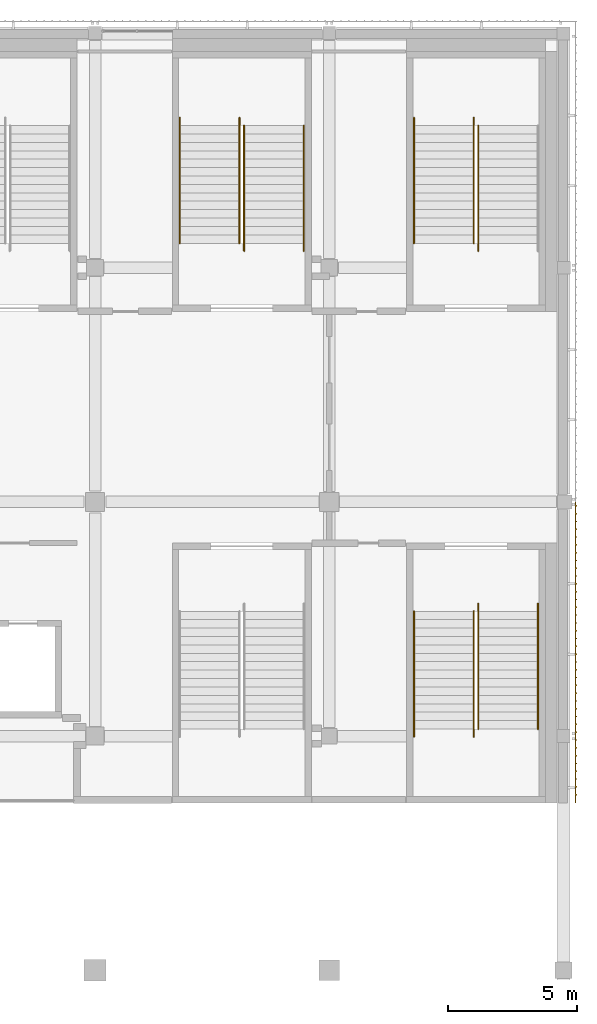
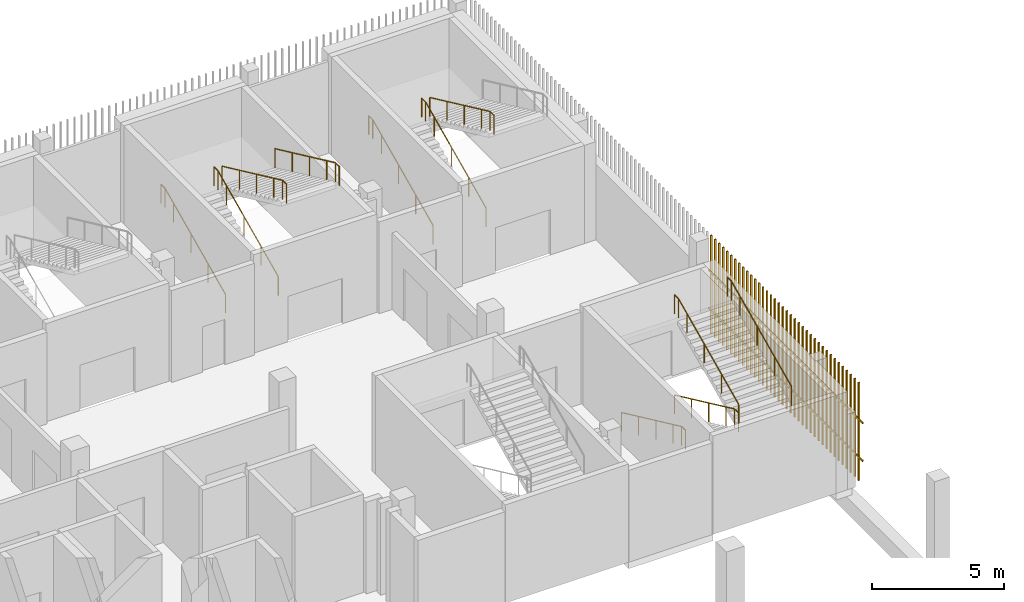
# One storey, part 102 of 104: 11 railings, 2 shading devices.
"""IFC4 building model written with IfcOpenShell, lengths in metres."""

from ifc_helpers import new_model, si_unit, direction, frame, origin, origin_2d, place, context, subcontext, project, spatial, rectangle, circle, extrude, material, type_object, element, save


model = new_model("IFC4")

# Units and contexts
model_context = context("Model", 3, precision=1e-05, world=origin(), true_north=direction((0.0, 1.0)))
body_context = subcontext(model_context, "Body", "Model", "MODEL_VIEW")
ifc_project = project(units=[si_unit("LENGTHUNIT", "METRE"), si_unit("AREAUNIT", "SQUARE_METRE"), si_unit("VOLUMEUNIT", "CUBIC_METRE"), si_unit("PLANEANGLEUNIT", "RADIAN"), si_unit("MASSUNIT", "GRAM", prefix="KILO")], contexts=[model_context])

# Site, building, storey
site_placement = place(None, origin())
site = spatial("IfcSite", under=ifc_project, at=site_placement, CompositionType="ELEMENT")
building_placement = place(site_placement, origin())
building = spatial("IfcBuilding", under=site, at=building_placement, Name="Shirokan Park Arena", CompositionType="ELEMENT")
storey_placement = place(building_placement, frame((0.0, 0.0, 10.919921875)))
storey = spatial("IfcBuildingStorey", under=building, at=storey_placement, Name="L02", CompositionType="ELEMENT", Elevation=10.919921875)

# Railings
ifc_material_1 = material(Name="Stainless steel", Category="steel")
railing_type = type_object("IfcRailingType", Name="Stair handrail 900", PredefinedType="HANDRAIL", material=ifc_material_1)
railing_1_placement = place(storey_placement, frame((139.7900390625, 101.050048828125, 0.15185546875)))
element("IfcRailing", 1, at=railing_1_placement, inside=storey, type_object=railing_type, Name="Handrail Exit Stair 3.A L02 to L03", PredefinedType="HANDRAIL", context=body_context, shape_type="SweptSolid", body=[
    extrude(circle(Radius=0.02392578125, at=origin_2d()), frame((0.0, 0.0, 0.8759765625), z_axis=(0.0, 0.907064445915, 0.420991794405), x_axis=(-1.0, 0.0, 0.0)), (0.0, 0.0, 1.0), 1.4404296875),
    extrude(circle(Radius=0.02392578125, at=origin_2d()), frame((0.0, 1.306640625, 1.482421875), z_axis=(0.0, 0.907029769225, 0.421066500378), x_axis=(-1.0, 0.0, 0.0)), (0.0, 0.0, 1.0), 1.44091796875),
    extrude(circle(Radius=0.02392578125, at=origin_2d()), frame((0.0, 2.613525390625, 2.0888671875), z_axis=(0.0, 0.907029769225, 0.421066500378), x_axis=(-1.0, 0.0, 0.0)), (0.0, 0.0, 1.0), 1.44091796875),
    extrude(circle(Radius=0.02392578125, at=origin_2d()), frame((0.0, 3.92041015625, 2.69580078125), z_axis=(0.0, 0.906934982928, 0.421270621741), x_axis=(-1.0, 0.0, 0.0)), (0.0, 0.0, 1.0), 0.720458984375),
    extrude(circle(Radius=0.02392578125, at=origin_2d()), frame((0.0, 4.57373046875, 2.9990234375), z_axis=(0.0, 1.0, 0.0), x_axis=(-1.0, 0.0, 0.0)), (0.0, 0.0, 1.0), 0.300048828125),
    extrude(circle(Radius=0.02099609375, at=origin_2d()), origin(), (0.0, 0.0, 1.0), 0.851806640625),
    extrude(circle(Radius=0.02099609375, at=origin_2d()), frame((0.0, 1.306640625, 0.6064453125)), (0.0, 0.0, 1.0), 0.851806640625),
    extrude(circle(Radius=0.02099609375, at=origin_2d()), frame((0.0, 2.613525390625, 1.213134765625)), (0.0, 0.0, 1.0), 0.851806640625),
    extrude(circle(Radius=0.02099609375, at=origin_2d()), frame((0.0, 3.92041015625, 1.81982421875)), (0.0, 0.0, 1.0), 0.851806640625),
    extrude(circle(Radius=0.02099609375, at=origin_2d()), frame((0.0, 4.57373046875, 2.123291015625)), (0.0, 0.0, 1.0), 0.851806640625),
    extrude(circle(Radius=0.02099609375, at=origin_2d()), frame((0.0, 4.873779296875, 2.123291015625)), (0.0, 0.0, 1.0), 0.851806640625),
])
railing_2_placement = place(storey_placement, frame((142.110107421875, 101.050048828125, 0.15185546875)))
element("IfcRailing", 2, at=railing_2_placement, inside=storey, type_object=railing_type, Name="Handrail Exit Stair 3.A L02 to L03", PredefinedType="HANDRAIL", context=body_context, shape_type="SweptSolid", body=[
    extrude(circle(Radius=0.02392578125, at=origin_2d()), frame((0.0, 0.0, 0.8759765625), z_axis=(0.0, 0.907064445915, 0.420991794405), x_axis=(-1.0, 0.0, 0.0)), (0.0, 0.0, 1.0), 1.4404296875),
    extrude(circle(Radius=0.02392578125, at=origin_2d()), frame((0.0, 1.306640625, 1.482421875), z_axis=(0.0, 0.907029769225, 0.421066500378), x_axis=(-1.0, 0.0, 0.0)), (0.0, 0.0, 1.0), 1.44091796875),
    extrude(circle(Radius=0.02392578125, at=origin_2d()), frame((0.0, 2.613525390625, 2.0888671875), z_axis=(0.0, 0.907029769225, 0.421066500378), x_axis=(-1.0, 0.0, 0.0)), (0.0, 0.0, 1.0), 1.44091796875),
    extrude(circle(Radius=0.02392578125, at=origin_2d()), frame((0.0, 3.92041015625, 2.69580078125), z_axis=(0.0, 0.906934982928, 0.421270621741), x_axis=(-1.0, 0.0, 0.0)), (0.0, 0.0, 1.0), 0.720458984375),
    extrude(circle(Radius=0.02392578125, at=origin_2d()), frame((0.0, 4.57373046875, 2.9990234375), z_axis=(0.0, 1.0, 0.0), x_axis=(-1.0, 0.0, 0.0)), (0.0, 0.0, 1.0), 0.300048828125),
    extrude(circle(Radius=0.02099609375, at=origin_2d()), origin(), (0.0, 0.0, 1.0), 0.851806640625),
    extrude(circle(Radius=0.02099609375, at=origin_2d()), frame((0.0, 1.306640625, 0.6064453125)), (0.0, 0.0, 1.0), 0.851806640625),
    extrude(circle(Radius=0.02099609375, at=origin_2d()), frame((0.0, 2.613525390625, 1.213134765625)), (0.0, 0.0, 1.0), 0.851806640625),
    extrude(circle(Radius=0.02099609375, at=origin_2d()), frame((0.0, 3.92041015625, 1.81982421875)), (0.0, 0.0, 1.0), 0.851806640625),
    extrude(circle(Radius=0.02099609375, at=origin_2d()), frame((0.0, 4.57373046875, 2.123291015625)), (0.0, 0.0, 1.0), 0.851806640625),
    extrude(circle(Radius=0.02099609375, at=origin_2d()), frame((0.0, 4.873779296875, 2.123291015625)), (0.0, 0.0, 1.0), 0.851806640625),
])
railing_3_placement = place(storey_placement, frame((142.2900390625, 105.623779296875, 2.4267578125)))
element("IfcRailing", 3, at=railing_3_placement, inside=storey, type_object=railing_type, Name="Handrail Exit Stair 3.A L02 to L03", PredefinedType="HANDRAIL", context=body_context, shape_type="SweptSolid", body=[
    extrude(circle(Radius=0.02392578125, at=origin_2d()), frame((0.0, 0.0, 0.8759765625), z_axis=(0.0, -0.907029769225, 0.421066500378), x_axis=(1.0, 0.0, 0.0)), (0.0, 0.0, 1.0), 1.44091796875),
    extrude(circle(Radius=0.02392578125, at=origin_2d()), frame((0.0, -1.306884765625, 1.482421875), z_axis=(0.0, -0.906999720516, 0.421131222998), x_axis=(1.0, 0.0, 0.0)), (0.0, 0.0, 1.0), 1.440673828125),
    extrude(circle(Radius=0.02392578125, at=origin_2d()), frame((0.0, -2.613525390625, 2.08935546875), z_axis=(0.0, -0.907029769225, 0.421066500378), x_axis=(1.0, 0.0, 0.0)), (0.0, 0.0, 1.0), 1.44091796875),
    extrude(circle(Radius=0.02392578125, at=origin_2d()), frame((0.0, -3.92041015625, 2.69580078125), z_axis=(0.0, -0.907064445915, 0.420991794405), x_axis=(1.0, 0.0, 0.0)), (0.0, 0.0, 1.0), 0.72021484375),
    extrude(circle(Radius=0.02392578125, at=origin_2d()), frame((0.0, -4.57373046875, 2.9990234375), z_axis=(0.0, -1.0, 0.0), x_axis=(1.0, 0.0, 0.0)), (0.0, 0.0, 1.0), 0.300048828125),
    extrude(circle(Radius=0.02099609375, at=origin_2d()), origin(), (0.0, 0.0, 1.0), 0.851806640625),
    extrude(circle(Radius=0.02099609375, at=origin_2d()), frame((0.0, -1.306884765625, 0.606689453125)), (0.0, 0.0, 1.0), 0.851806640625),
    extrude(circle(Radius=0.02099609375, at=origin_2d()), frame((0.0, -2.613525390625, 1.21337890625)), (0.0, 0.0, 1.0), 0.851806640625),
    extrude(circle(Radius=0.02099609375, at=origin_2d()), frame((0.0, -3.92041015625, 1.820068359375)), (0.0, 0.0, 1.0), 0.851806640625),
    extrude(circle(Radius=0.02099609375, at=origin_2d()), frame((0.0, -4.57373046875, 2.123291015625)), (0.0, 0.0, 1.0), 0.851806640625),
    extrude(circle(Radius=0.02099609375, at=origin_2d()), frame((0.0, -4.873779296875, 2.123291015625)), (0.0, 0.0, 1.0), 0.851806640625),
])
railing_4_placement = place(storey_placement, frame((130.68994140625, 101.050048828125, 0.15185546875)))
element("IfcRailing", 4, at=railing_4_placement, inside=storey, type_object=railing_type, Name="Handrail Exit Stair 3.B L02 to L03", PredefinedType="HANDRAIL", context=body_context, shape_type="SweptSolid", body=[
    extrude(circle(Radius=0.02392578125, at=origin_2d()), frame((0.0, 0.0, 0.8759765625), z_axis=(0.0, 0.907064445915, 0.420991794405), x_axis=(-1.0, 0.0, 0.0)), (0.0, 0.0, 1.0), 1.4404296875),
    extrude(circle(Radius=0.02392578125, at=origin_2d()), frame((0.0, 1.306640625, 1.482421875), z_axis=(0.0, 0.907029769225, 0.421066500378), x_axis=(-1.0, 0.0, 0.0)), (0.0, 0.0, 1.0), 1.44091796875),
    extrude(circle(Radius=0.02392578125, at=origin_2d()), frame((0.0, 2.613525390625, 2.0888671875), z_axis=(0.0, 0.907029769225, 0.421066500378), x_axis=(-1.0, 0.0, 0.0)), (0.0, 0.0, 1.0), 1.44091796875),
    extrude(circle(Radius=0.02392578125, at=origin_2d()), frame((0.0, 3.92041015625, 2.69580078125), z_axis=(0.0, 0.906934982928, 0.421270621741), x_axis=(-1.0, 0.0, 0.0)), (0.0, 0.0, 1.0), 0.720458984375),
    extrude(circle(Radius=0.02392578125, at=origin_2d()), frame((0.0, 4.57373046875, 2.9990234375), z_axis=(0.0, 1.0, 0.0), x_axis=(-1.0, 0.0, 0.0)), (0.0, 0.0, 1.0), 0.300048828125),
    extrude(circle(Radius=0.02099609375, at=origin_2d()), origin(), (0.0, 0.0, 1.0), 0.851806640625),
    extrude(circle(Radius=0.02099609375, at=origin_2d()), frame((0.0, 1.306640625, 0.6064453125)), (0.0, 0.0, 1.0), 0.851806640625),
    extrude(circle(Radius=0.02099609375, at=origin_2d()), frame((0.0, 2.613525390625, 1.213134765625)), (0.0, 0.0, 1.0), 0.851806640625),
    extrude(circle(Radius=0.02099609375, at=origin_2d()), frame((0.0, 3.92041015625, 1.81982421875)), (0.0, 0.0, 1.0), 0.851806640625),
    extrude(circle(Radius=0.02099609375, at=origin_2d()), frame((0.0, 4.57373046875, 2.123291015625)), (0.0, 0.0, 1.0), 0.851806640625),
    extrude(circle(Radius=0.02099609375, at=origin_2d()), frame((0.0, 4.873779296875, 2.123291015625)), (0.0, 0.0, 1.0), 0.851806640625),
])
railing_5_placement = place(storey_placement, frame((133.010009765625, 101.050048828125, 0.15185546875)))
element("IfcRailing", 5, at=railing_5_placement, inside=storey, type_object=railing_type, Name="Handrail Exit Stair 3.B L02 to L03", PredefinedType="HANDRAIL", context=body_context, shape_type="SweptSolid", body=[
    extrude(circle(Radius=0.02392578125, at=origin_2d()), frame((0.0, 0.0, 0.8759765625), z_axis=(0.0, 0.907064445915, 0.420991794405), x_axis=(-1.0, 0.0, 0.0)), (0.0, 0.0, 1.0), 1.4404296875),
    extrude(circle(Radius=0.02392578125, at=origin_2d()), frame((0.0, 1.306640625, 1.482421875), z_axis=(0.0, 0.907029769225, 0.421066500378), x_axis=(-1.0, 0.0, 0.0)), (0.0, 0.0, 1.0), 1.44091796875),
    extrude(circle(Radius=0.02392578125, at=origin_2d()), frame((0.0, 2.613525390625, 2.0888671875), z_axis=(0.0, 0.907029769225, 0.421066500378), x_axis=(-1.0, 0.0, 0.0)), (0.0, 0.0, 1.0), 1.44091796875),
    extrude(circle(Radius=0.02392578125, at=origin_2d()), frame((0.0, 3.92041015625, 2.69580078125), z_axis=(0.0, 0.906934982928, 0.421270621741), x_axis=(-1.0, 0.0, 0.0)), (0.0, 0.0, 1.0), 0.720458984375),
    extrude(circle(Radius=0.02392578125, at=origin_2d()), frame((0.0, 4.57373046875, 2.9990234375), z_axis=(0.0, 1.0, 0.0), x_axis=(-1.0, 0.0, 0.0)), (0.0, 0.0, 1.0), 0.300048828125),
    extrude(circle(Radius=0.02099609375, at=origin_2d()), origin(), (0.0, 0.0, 1.0), 0.851806640625),
    extrude(circle(Radius=0.02099609375, at=origin_2d()), frame((0.0, 1.306640625, 0.6064453125)), (0.0, 0.0, 1.0), 0.851806640625),
    extrude(circle(Radius=0.02099609375, at=origin_2d()), frame((0.0, 2.613525390625, 1.213134765625)), (0.0, 0.0, 1.0), 0.851806640625),
    extrude(circle(Radius=0.02099609375, at=origin_2d()), frame((0.0, 3.92041015625, 1.81982421875)), (0.0, 0.0, 1.0), 0.851806640625),
    extrude(circle(Radius=0.02099609375, at=origin_2d()), frame((0.0, 4.57373046875, 2.123291015625)), (0.0, 0.0, 1.0), 0.851806640625),
    extrude(circle(Radius=0.02099609375, at=origin_2d()), frame((0.0, 4.873779296875, 2.123291015625)), (0.0, 0.0, 1.0), 0.851806640625),
])
railing_6_placement = place(storey_placement, frame((133.18994140625, 105.623779296875, 2.4267578125)))
element("IfcRailing", 6, at=railing_6_placement, inside=storey, type_object=railing_type, Name="Handrail Exit Stair 3.B L02 to L03", PredefinedType="HANDRAIL", context=body_context, shape_type="SweptSolid", body=[
    extrude(circle(Radius=0.02392578125, at=origin_2d()), frame((0.0, 0.0, 0.8759765625), z_axis=(0.0, -0.907029769225, 0.421066500378), x_axis=(1.0, 0.0, 0.0)), (0.0, 0.0, 1.0), 1.44091796875),
    extrude(circle(Radius=0.02392578125, at=origin_2d()), frame((0.0, -1.306884765625, 1.482421875), z_axis=(0.0, -0.906999720516, 0.421131222998), x_axis=(1.0, 0.0, 0.0)), (0.0, 0.0, 1.0), 1.440673828125),
    extrude(circle(Radius=0.02392578125, at=origin_2d()), frame((0.0, -2.613525390625, 2.08935546875), z_axis=(0.0, -0.907029769225, 0.421066500378), x_axis=(1.0, 0.0, 0.0)), (0.0, 0.0, 1.0), 1.44091796875),
    extrude(circle(Radius=0.02392578125, at=origin_2d()), frame((0.0, -3.92041015625, 2.69580078125), z_axis=(0.0, -0.907064445915, 0.420991794405), x_axis=(1.0, 0.0, 0.0)), (0.0, 0.0, 1.0), 0.72021484375),
    extrude(circle(Radius=0.02392578125, at=origin_2d()), frame((0.0, -4.57373046875, 2.9990234375), z_axis=(0.0, -1.0, 0.0), x_axis=(1.0, 0.0, 0.0)), (0.0, 0.0, 1.0), 0.300048828125),
    extrude(circle(Radius=0.02099609375, at=origin_2d()), origin(), (0.0, 0.0, 1.0), 0.851806640625),
    extrude(circle(Radius=0.02099609375, at=origin_2d()), frame((0.0, -1.306884765625, 0.606689453125)), (0.0, 0.0, 1.0), 0.851806640625),
    extrude(circle(Radius=0.02099609375, at=origin_2d()), frame((0.0, -2.613525390625, 1.21337890625)), (0.0, 0.0, 1.0), 0.851806640625),
    extrude(circle(Radius=0.02099609375, at=origin_2d()), frame((0.0, -3.92041015625, 1.820068359375)), (0.0, 0.0, 1.0), 0.851806640625),
    extrude(circle(Radius=0.02099609375, at=origin_2d()), frame((0.0, -4.57373046875, 2.123291015625)), (0.0, 0.0, 1.0), 0.851806640625),
    extrude(circle(Radius=0.02099609375, at=origin_2d()), frame((0.0, -4.873779296875, 2.123291015625)), (0.0, 0.0, 1.0), 0.851806640625),
])
railing_7_placement = place(storey_placement, frame((135.510009765625, 105.623779296875, 2.4267578125)))
element("IfcRailing", 7, at=railing_7_placement, inside=storey, type_object=railing_type, Name="Handrail Exit Stair 3.B L02 to L03", PredefinedType="HANDRAIL", context=body_context, shape_type="SweptSolid", body=[
    extrude(circle(Radius=0.02392578125, at=origin_2d()), frame((0.0, 0.0, 0.8759765625), z_axis=(0.0, -0.907029769225, 0.421066500378), x_axis=(1.0, 0.0, 0.0)), (0.0, 0.0, 1.0), 1.44091796875),
    extrude(circle(Radius=0.02392578125, at=origin_2d()), frame((0.0, -1.306884765625, 1.482421875), z_axis=(0.0, -0.906999720516, 0.421131222998), x_axis=(1.0, 0.0, 0.0)), (0.0, 0.0, 1.0), 1.440673828125),
    extrude(circle(Radius=0.02392578125, at=origin_2d()), frame((0.0, -2.613525390625, 2.08935546875), z_axis=(0.0, -0.907029769225, 0.421066500378), x_axis=(1.0, 0.0, 0.0)), (0.0, 0.0, 1.0), 1.44091796875),
    extrude(circle(Radius=0.02392578125, at=origin_2d()), frame((0.0, -3.92041015625, 2.69580078125), z_axis=(0.0, -0.907064445915, 0.420991794405), x_axis=(1.0, 0.0, 0.0)), (0.0, 0.0, 1.0), 0.72021484375),
    extrude(circle(Radius=0.02392578125, at=origin_2d()), frame((0.0, -4.57373046875, 2.9990234375), z_axis=(0.0, -1.0, 0.0), x_axis=(1.0, 0.0, 0.0)), (0.0, 0.0, 1.0), 0.300048828125),
    extrude(circle(Radius=0.02099609375, at=origin_2d()), origin(), (0.0, 0.0, 1.0), 0.851806640625),
    extrude(circle(Radius=0.02099609375, at=origin_2d()), frame((0.0, -1.306884765625, 0.606689453125)), (0.0, 0.0, 1.0), 0.851806640625),
    extrude(circle(Radius=0.02099609375, at=origin_2d()), frame((0.0, -2.613525390625, 1.21337890625)), (0.0, 0.0, 1.0), 0.851806640625),
    extrude(circle(Radius=0.02099609375, at=origin_2d()), frame((0.0, -3.92041015625, 1.820068359375)), (0.0, 0.0, 1.0), 0.851806640625),
    extrude(circle(Radius=0.02099609375, at=origin_2d()), frame((0.0, -4.57373046875, 2.123291015625)), (0.0, 0.0, 1.0), 0.851806640625),
    extrude(circle(Radius=0.02099609375, at=origin_2d()), frame((0.0, -4.873779296875, 2.123291015625)), (0.0, 0.0, 1.0), 0.851806640625),
])
railing_8_placement = place(storey_placement, frame((139.7900390625, 86.75, 0.15185546875)))
element("IfcRailing", 8, at=railing_8_placement, inside=storey, type_object=railing_type, Name="Handrail Exit Stair 3.E L02 to L03", PredefinedType="HANDRAIL", context=body_context, shape_type="SweptSolid", body=[
    extrude(circle(Radius=0.02392578125, at=origin_2d()), frame((0.0, 0.0, 0.8759765625), z_axis=(0.0, -0.907094476872, 0.420927083981), x_axis=(1.0, 0.0, 0.0)), (0.0, 0.0, 1.0), 1.440673828125),
    extrude(circle(Radius=0.02392578125, at=origin_2d()), frame((0.0, -1.306884765625, 1.482421875), z_axis=(0.0, -0.906999720516, 0.421131222998), x_axis=(1.0, 0.0, 0.0)), (0.0, 0.0, 1.0), 1.440673828125),
    extrude(circle(Radius=0.02392578125, at=origin_2d()), frame((0.0, -2.613525390625, 2.0888671875), z_axis=(0.0, -0.907029769225, 0.421066500378), x_axis=(1.0, 0.0, 0.0)), (0.0, 0.0, 1.0), 1.44091796875),
    extrude(circle(Radius=0.02392578125, at=origin_2d()), frame((0.0, -3.92041015625, 2.69580078125), z_axis=(0.0, -0.906934982928, 0.421270621741), x_axis=(1.0, 0.0, 0.0)), (0.0, 0.0, 1.0), 0.720458984375),
    extrude(circle(Radius=0.02392578125, at=origin_2d()), frame((0.0, -4.57373046875, 2.9990234375), z_axis=(0.0, -1.0, 0.0), x_axis=(1.0, 0.0, 0.0)), (0.0, 0.0, 1.0), 0.300048828125),
    extrude(circle(Radius=0.02099609375, at=origin_2d()), origin(), (0.0, 0.0, 1.0), 0.851806640625),
    extrude(circle(Radius=0.02099609375, at=origin_2d()), frame((0.0, -1.306884765625, 0.6064453125)), (0.0, 0.0, 1.0), 0.851806640625),
    extrude(circle(Radius=0.02099609375, at=origin_2d()), frame((0.0, -2.613525390625, 1.213134765625)), (0.0, 0.0, 1.0), 0.851806640625),
    extrude(circle(Radius=0.02099609375, at=origin_2d()), frame((0.0, -3.92041015625, 1.81982421875)), (0.0, 0.0, 1.0), 0.851806640625),
    extrude(circle(Radius=0.02099609375, at=origin_2d()), frame((0.0, -4.57373046875, 2.123291015625)), (0.0, 0.0, 1.0), 0.851806640625),
    extrude(circle(Radius=0.02099609375, at=origin_2d()), frame((0.0, -4.873779296875, 2.123291015625)), (0.0, 0.0, 1.0), 0.851806640625),
])
railing_9_placement = place(storey_placement, frame((142.110107421875, 86.75, 0.15185546875)))
element("IfcRailing", 9, at=railing_9_placement, inside=storey, type_object=railing_type, Name="Handrail Exit Stair 3.E L02 to L03", PredefinedType="HANDRAIL", context=body_context, shape_type="SweptSolid", body=[
    extrude(circle(Radius=0.02392578125, at=origin_2d()), frame((0.0, 0.0, 0.8759765625), z_axis=(0.0, -0.907094476872, 0.420927083981), x_axis=(1.0, 0.0, 0.0)), (0.0, 0.0, 1.0), 1.440673828125),
    extrude(circle(Radius=0.02392578125, at=origin_2d()), frame((0.0, -1.306884765625, 1.482421875), z_axis=(0.0, -0.906999720516, 0.421131222998), x_axis=(1.0, 0.0, 0.0)), (0.0, 0.0, 1.0), 1.440673828125),
    extrude(circle(Radius=0.02392578125, at=origin_2d()), frame((0.0, -2.613525390625, 2.0888671875), z_axis=(0.0, -0.907029769225, 0.421066500378), x_axis=(1.0, 0.0, 0.0)), (0.0, 0.0, 1.0), 1.44091796875),
    extrude(circle(Radius=0.02392578125, at=origin_2d()), frame((0.0, -3.92041015625, 2.69580078125), z_axis=(0.0, -0.906934982928, 0.421270621741), x_axis=(1.0, 0.0, 0.0)), (0.0, 0.0, 1.0), 0.720458984375),
    extrude(circle(Radius=0.02392578125, at=origin_2d()), frame((0.0, -4.57373046875, 2.9990234375), z_axis=(0.0, -1.0, 0.0), x_axis=(1.0, 0.0, 0.0)), (0.0, 0.0, 1.0), 0.300048828125),
    extrude(circle(Radius=0.02099609375, at=origin_2d()), origin(), (0.0, 0.0, 1.0), 0.851806640625),
    extrude(circle(Radius=0.02099609375, at=origin_2d()), frame((0.0, -1.306884765625, 0.6064453125)), (0.0, 0.0, 1.0), 0.851806640625),
    extrude(circle(Radius=0.02099609375, at=origin_2d()), frame((0.0, -2.613525390625, 1.213134765625)), (0.0, 0.0, 1.0), 0.851806640625),
    extrude(circle(Radius=0.02099609375, at=origin_2d()), frame((0.0, -3.92041015625, 1.81982421875)), (0.0, 0.0, 1.0), 0.851806640625),
    extrude(circle(Radius=0.02099609375, at=origin_2d()), frame((0.0, -4.57373046875, 2.123291015625)), (0.0, 0.0, 1.0), 0.851806640625),
    extrude(circle(Radius=0.02099609375, at=origin_2d()), frame((0.0, -4.873779296875, 2.123291015625)), (0.0, 0.0, 1.0), 0.851806640625),
])
railing_10_placement = place(storey_placement, frame((142.2900390625, 82.17626953125, 2.4267578125)))
element("IfcRailing", 10, at=railing_10_placement, inside=storey, type_object=railing_type, Name="Handrail Exit Stair 3.E L02 to L03", PredefinedType="HANDRAIL", context=body_context, shape_type="SweptSolid", body=[
    extrude(circle(Radius=0.02392578125, at=origin_2d()), frame((0.0, 0.0, 0.8759765625), z_axis=(0.0, 0.906999720516, 0.421131222998), x_axis=(-1.0, 0.0, 0.0)), (0.0, 0.0, 1.0), 1.440673828125),
    extrude(circle(Radius=0.02392578125, at=origin_2d()), frame((0.0, 1.306640625, 1.482421875), z_axis=(0.0, 0.907029769225, 0.421066500378), x_axis=(-1.0, 0.0, 0.0)), (0.0, 0.0, 1.0), 1.44091796875),
    extrude(circle(Radius=0.02392578125, at=origin_2d()), frame((0.0, 2.613525390625, 2.08935546875), z_axis=(0.0, 0.907029769225, 0.421066500378), x_axis=(-1.0, 0.0, 0.0)), (0.0, 0.0, 1.0), 1.44091796875),
    extrude(circle(Radius=0.02392578125, at=origin_2d()), frame((0.0, 3.92041015625, 2.69580078125), z_axis=(0.0, 0.907064445915, 0.420991794405), x_axis=(-1.0, 0.0, 0.0)), (0.0, 0.0, 1.0), 0.72021484375),
    extrude(circle(Radius=0.02392578125, at=origin_2d()), frame((0.0, 4.57373046875, 2.9990234375), z_axis=(0.0, 1.0, 0.0), x_axis=(-1.0, 0.0, 0.0)), (0.0, 0.0, 1.0), 0.300048828125),
    extrude(circle(Radius=0.02099609375, at=origin_2d()), origin(), (0.0, 0.0, 1.0), 0.851806640625),
    extrude(circle(Radius=0.02099609375, at=origin_2d()), frame((0.0, 1.306640625, 0.606689453125)), (0.0, 0.0, 1.0), 0.851806640625),
    extrude(circle(Radius=0.02099609375, at=origin_2d()), frame((0.0, 2.613525390625, 1.21337890625)), (0.0, 0.0, 1.0), 0.851806640625),
    extrude(circle(Radius=0.02099609375, at=origin_2d()), frame((0.0, 3.92041015625, 1.820068359375)), (0.0, 0.0, 1.0), 0.851806640625),
    extrude(circle(Radius=0.02099609375, at=origin_2d()), frame((0.0, 4.57373046875, 2.123291015625)), (0.0, 0.0, 1.0), 0.851806640625),
    extrude(circle(Radius=0.02099609375, at=origin_2d()), frame((0.0, 4.873779296875, 2.123291015625)), (0.0, 0.0, 1.0), 0.851806640625),
])
railing_11_placement = place(storey_placement, frame((144.610107421875, 82.17626953125, 2.4267578125)))
element("IfcRailing", 11, at=railing_11_placement, inside=storey, type_object=railing_type, Name="Handrail Exit Stair 3.E L02 to L03", PredefinedType="HANDRAIL", context=body_context, shape_type="SweptSolid", body=[
    extrude(circle(Radius=0.02392578125, at=origin_2d()), frame((0.0, 0.0, 0.8759765625), z_axis=(0.0, 0.906999720516, 0.421131222998), x_axis=(-1.0, 0.0, 0.0)), (0.0, 0.0, 1.0), 1.440673828125),
    extrude(circle(Radius=0.02392578125, at=origin_2d()), frame((0.0, 1.306640625, 1.482421875), z_axis=(0.0, 0.907029769225, 0.421066500378), x_axis=(-1.0, 0.0, 0.0)), (0.0, 0.0, 1.0), 1.44091796875),
    extrude(circle(Radius=0.02392578125, at=origin_2d()), frame((0.0, 2.613525390625, 2.08935546875), z_axis=(0.0, 0.907029769225, 0.421066500378), x_axis=(-1.0, 0.0, 0.0)), (0.0, 0.0, 1.0), 1.44091796875),
    extrude(circle(Radius=0.02392578125, at=origin_2d()), frame((0.0, 3.92041015625, 2.69580078125), z_axis=(0.0, 0.907064445915, 0.420991794405), x_axis=(-1.0, 0.0, 0.0)), (0.0, 0.0, 1.0), 0.72021484375),
    extrude(circle(Radius=0.02392578125, at=origin_2d()), frame((0.0, 4.57373046875, 2.9990234375), z_axis=(0.0, 1.0, 0.0), x_axis=(-1.0, 0.0, 0.0)), (0.0, 0.0, 1.0), 0.300048828125),
    extrude(circle(Radius=0.02099609375, at=origin_2d()), origin(), (0.0, 0.0, 1.0), 0.851806640625),
    extrude(circle(Radius=0.02099609375, at=origin_2d()), frame((0.0, 1.306640625, 0.606689453125)), (0.0, 0.0, 1.0), 0.851806640625),
    extrude(circle(Radius=0.02099609375, at=origin_2d()), frame((0.0, 2.613525390625, 1.21337890625)), (0.0, 0.0, 1.0), 0.851806640625),
    extrude(circle(Radius=0.02099609375, at=origin_2d()), frame((0.0, 3.92041015625, 1.820068359375)), (0.0, 0.0, 1.0), 0.851806640625),
    extrude(circle(Radius=0.02099609375, at=origin_2d()), frame((0.0, 4.57373046875, 2.123291015625)), (0.0, 0.0, 1.0), 0.851806640625),
    extrude(circle(Radius=0.02099609375, at=origin_2d()), frame((0.0, 4.873779296875, 2.123291015625)), (0.0, 0.0, 1.0), 0.851806640625),
])

# Shading devices
ifc_material_2 = material(Name="Timber louvre veil (cedar)", Category="wood")
shading_device_type = type_object("IfcShadingDeviceType", Name="Timber louvre veil panel", PredefinedType="JALOUSIE", material=ifc_material_2)
shading_device_1_placement = place(storey_placement, origin())
element("IfcShadingDevice", 12, at=shading_device_1_placement, inside=storey, type_object=shading_device_type, Name="Timber louvre veil east bay 9 L02", PredefinedType="JALOUSIE", context=body_context, shape_type="SweptSolid", body=[
    extrude(rectangle(XDim=0.050048828125, YDim=0.080078125, at=origin_2d()), frame((146.0849609375, 79.625, 0.0), z_axis=(0.0, 0.0, 1.0), x_axis=(0.0, 1.0, 0.0)), (0.0, 0.0, 1.0), 4.550048828125),
    extrude(rectangle(XDim=0.050048828125, YDim=0.080078125, at=origin_2d()), frame((146.0849609375, 79.92822265625, 0.0), z_axis=(0.0, 0.0, 1.0), x_axis=(0.0, 1.0, 0.0)), (0.0, 0.0, 1.0), 4.550048828125),
    extrude(rectangle(XDim=0.050048828125, YDim=0.080078125, at=origin_2d()), frame((146.0849609375, 80.231689453125, 0.0), z_axis=(0.0, 0.0, 1.0), x_axis=(0.0, 1.0, 0.0)), (0.0, 0.0, 1.0), 4.550048828125),
    extrude(rectangle(XDim=0.050048828125, YDim=0.080078125, at=origin_2d()), frame((146.0849609375, 80.534912109375, 0.0), z_axis=(0.0, 0.0, 1.0), x_axis=(0.0, 1.0, 0.0)), (0.0, 0.0, 1.0), 4.550048828125),
    extrude(rectangle(XDim=0.050048828125, YDim=0.080078125, at=origin_2d()), frame((146.0849609375, 80.83837890625, 0.0), z_axis=(0.0, 0.0, 1.0), x_axis=(0.0, 1.0, 0.0)), (0.0, 0.0, 1.0), 4.550048828125),
    extrude(rectangle(XDim=0.050048828125, YDim=0.080078125, at=origin_2d()), frame((146.0849609375, 81.1416015625, 0.0), z_axis=(0.0, 0.0, 1.0), x_axis=(0.0, 1.0, 0.0)), (0.0, 0.0, 1.0), 4.550048828125),
    extrude(rectangle(XDim=0.050048828125, YDim=0.080078125, at=origin_2d()), frame((146.0849609375, 81.445068359375, 0.0), z_axis=(0.0, 0.0, 1.0), x_axis=(0.0, 1.0, 0.0)), (0.0, 0.0, 1.0), 4.550048828125),
    extrude(rectangle(XDim=0.050048828125, YDim=0.080078125, at=origin_2d()), frame((146.0849609375, 81.748291015625, 0.0), z_axis=(0.0, 0.0, 1.0), x_axis=(0.0, 1.0, 0.0)), (0.0, 0.0, 1.0), 4.550048828125),
    extrude(rectangle(XDim=2.60009765625, YDim=0.050048828125, at=origin_2d()), frame((146.070068359375, 80.60009765625, 1.06005859375), z_axis=(0.0, 0.0, 1.0), x_axis=(0.0, 1.0, 0.0)), (0.0, 0.0, 1.0), 0.080078125),
    extrude(rectangle(XDim=2.60009765625, YDim=0.050048828125, at=origin_2d()), frame((146.070068359375, 80.60009765625, 2.81005859375), z_axis=(0.0, 0.0, 1.0), x_axis=(0.0, 1.0, 0.0)), (0.0, 0.0, 1.0), 0.080078125),
])
shading_device_2_placement = place(storey_placement, origin())
element("IfcShadingDevice", 13, at=shading_device_2_placement, inside=storey, type_object=shading_device_type, Name="Timber louvre veil east bay 10 L02", PredefinedType="JALOUSIE", context=body_context, shape_type="SweptSolid", body=[
    extrude(rectangle(XDim=0.050048828125, YDim=0.080078125, at=origin_2d()), frame((146.0849609375, 82.0517578125, 0.0), z_axis=(0.0, 0.0, 1.0), x_axis=(0.0, 1.0, 0.0)), (0.0, 0.0, 1.0), 4.550048828125),
    extrude(rectangle(XDim=0.050048828125, YDim=0.080078125, at=origin_2d()), frame((146.0849609375, 82.35498046875, 0.0), z_axis=(0.0, 0.0, 1.0), x_axis=(0.0, 1.0, 0.0)), (0.0, 0.0, 1.0), 4.550048828125),
    extrude(rectangle(XDim=0.050048828125, YDim=0.080078125, at=origin_2d()), frame((146.0849609375, 82.658447265625, 0.0), z_axis=(0.0, 0.0, 1.0), x_axis=(0.0, 1.0, 0.0)), (0.0, 0.0, 1.0), 4.550048828125),
    extrude(rectangle(XDim=0.050048828125, YDim=0.080078125, at=origin_2d()), frame((146.0849609375, 82.961669921875, 0.0), z_axis=(0.0, 0.0, 1.0), x_axis=(0.0, 1.0, 0.0)), (0.0, 0.0, 1.0), 4.550048828125),
    extrude(rectangle(XDim=0.050048828125, YDim=0.080078125, at=origin_2d()), frame((146.0849609375, 83.264892578125, 0.0), z_axis=(0.0, 0.0, 1.0), x_axis=(0.0, 1.0, 0.0)), (0.0, 0.0, 1.0), 4.550048828125),
    extrude(rectangle(XDim=0.050048828125, YDim=0.080078125, at=origin_2d()), frame((146.0849609375, 83.568359375, 0.0), z_axis=(0.0, 0.0, 1.0), x_axis=(0.0, 1.0, 0.0)), (0.0, 0.0, 1.0), 4.550048828125),
    extrude(rectangle(XDim=0.050048828125, YDim=0.080078125, at=origin_2d()), frame((146.0849609375, 83.87158203125, 0.0), z_axis=(0.0, 0.0, 1.0), x_axis=(0.0, 1.0, 0.0)), (0.0, 0.0, 1.0), 4.550048828125),
    extrude(rectangle(XDim=0.050048828125, YDim=0.080078125, at=origin_2d()), frame((146.0849609375, 84.175048828125, 0.0), z_axis=(0.0, 0.0, 1.0), x_axis=(0.0, 1.0, 0.0)), (0.0, 0.0, 1.0), 4.550048828125),
    extrude(rectangle(XDim=0.050048828125, YDim=0.080078125, at=origin_2d()), frame((146.0849609375, 84.478271484375, 0.0), z_axis=(0.0, 0.0, 1.0), x_axis=(0.0, 1.0, 0.0)), (0.0, 0.0, 1.0), 4.550048828125),
    extrude(rectangle(XDim=0.050048828125, YDim=0.080078125, at=origin_2d()), frame((146.0849609375, 84.78173828125, 0.0), z_axis=(0.0, 0.0, 1.0), x_axis=(0.0, 1.0, 0.0)), (0.0, 0.0, 1.0), 4.550048828125),
    extrude(rectangle(XDim=0.050048828125, YDim=0.080078125, at=origin_2d()), frame((146.0849609375, 85.0849609375, 0.0), z_axis=(0.0, 0.0, 1.0), x_axis=(0.0, 1.0, 0.0)), (0.0, 0.0, 1.0), 4.550048828125),
    extrude(rectangle(XDim=0.050048828125, YDim=0.080078125, at=origin_2d()), frame((146.0849609375, 85.388427734375, 0.0), z_axis=(0.0, 0.0, 1.0), x_axis=(0.0, 1.0, 0.0)), (0.0, 0.0, 1.0), 4.550048828125),
    extrude(rectangle(XDim=0.050048828125, YDim=0.080078125, at=origin_2d()), frame((146.0849609375, 85.691650390625, 0.0), z_axis=(0.0, 0.0, 1.0), x_axis=(0.0, 1.0, 0.0)), (0.0, 0.0, 1.0), 4.550048828125),
    extrude(rectangle(XDim=0.050048828125, YDim=0.080078125, at=origin_2d()), frame((146.0849609375, 85.9951171875, 0.0), z_axis=(0.0, 0.0, 1.0), x_axis=(0.0, 1.0, 0.0)), (0.0, 0.0, 1.0), 4.550048828125),
    extrude(rectangle(XDim=0.050048828125, YDim=0.080078125, at=origin_2d()), frame((146.0849609375, 86.29833984375, 0.0), z_axis=(0.0, 0.0, 1.0), x_axis=(0.0, 1.0, 0.0)), (0.0, 0.0, 1.0), 4.550048828125),
    extrude(rectangle(XDim=0.050048828125, YDim=0.080078125, at=origin_2d()), frame((146.0849609375, 86.6015625, 0.0), z_axis=(0.0, 0.0, 1.0), x_axis=(0.0, 1.0, 0.0)), (0.0, 0.0, 1.0), 4.550048828125),
    extrude(rectangle(XDim=0.050048828125, YDim=0.080078125, at=origin_2d()), frame((146.0849609375, 86.905029296875, 0.0), z_axis=(0.0, 0.0, 1.0), x_axis=(0.0, 1.0, 0.0)), (0.0, 0.0, 1.0), 4.550048828125),
    extrude(rectangle(XDim=0.050048828125, YDim=0.080078125, at=origin_2d()), frame((146.0849609375, 87.208251953125, 0.0), z_axis=(0.0, 0.0, 1.0), x_axis=(0.0, 1.0, 0.0)), (0.0, 0.0, 1.0), 4.550048828125),
    extrude(rectangle(XDim=0.050048828125, YDim=0.080078125, at=origin_2d()), frame((146.0849609375, 87.51171875, 0.0), z_axis=(0.0, 0.0, 1.0), x_axis=(0.0, 1.0, 0.0)), (0.0, 0.0, 1.0), 4.550048828125),
    extrude(rectangle(XDim=0.050048828125, YDim=0.080078125, at=origin_2d()), frame((146.0849609375, 87.81494140625, 0.0), z_axis=(0.0, 0.0, 1.0), x_axis=(0.0, 1.0, 0.0)), (0.0, 0.0, 1.0), 4.550048828125),
    extrude(rectangle(XDim=0.050048828125, YDim=0.080078125, at=origin_2d()), frame((146.0849609375, 88.118408203125, 0.0), z_axis=(0.0, 0.0, 1.0), x_axis=(0.0, 1.0, 0.0)), (0.0, 0.0, 1.0), 4.550048828125),
    extrude(rectangle(XDim=0.050048828125, YDim=0.080078125, at=origin_2d()), frame((146.0849609375, 88.421630859375, 0.0), z_axis=(0.0, 0.0, 1.0), x_axis=(0.0, 1.0, 0.0)), (0.0, 0.0, 1.0), 4.550048828125),
    extrude(rectangle(XDim=0.050048828125, YDim=0.080078125, at=origin_2d()), frame((146.0849609375, 88.72509765625, 0.0), z_axis=(0.0, 0.0, 1.0), x_axis=(0.0, 1.0, 0.0)), (0.0, 0.0, 1.0), 4.550048828125),
    extrude(rectangle(XDim=0.050048828125, YDim=0.080078125, at=origin_2d()), frame((146.0849609375, 89.0283203125, 0.0), z_axis=(0.0, 0.0, 1.0), x_axis=(0.0, 1.0, 0.0)), (0.0, 0.0, 1.0), 4.550048828125),
    extrude(rectangle(XDim=0.050048828125, YDim=0.080078125, at=origin_2d()), frame((146.0849609375, 89.331787109375, 0.0), z_axis=(0.0, 0.0, 1.0), x_axis=(0.0, 1.0, 0.0)), (0.0, 0.0, 1.0), 4.550048828125),
    extrude(rectangle(XDim=0.050048828125, YDim=0.080078125, at=origin_2d()), frame((146.0849609375, 89.635009765625, 0.0), z_axis=(0.0, 0.0, 1.0), x_axis=(0.0, 1.0, 0.0)), (0.0, 0.0, 1.0), 4.550048828125),
    extrude(rectangle(XDim=0.050048828125, YDim=0.080078125, at=origin_2d()), frame((146.0849609375, 89.938232421875, 0.0), z_axis=(0.0, 0.0, 1.0), x_axis=(0.0, 1.0, 0.0)), (0.0, 0.0, 1.0), 4.550048828125),
    extrude(rectangle(XDim=0.050048828125, YDim=0.080078125, at=origin_2d()), frame((146.0849609375, 90.24169921875, 0.0), z_axis=(0.0, 0.0, 1.0), x_axis=(0.0, 1.0, 0.0)), (0.0, 0.0, 1.0), 4.550048828125),
    extrude(rectangle(XDim=0.050048828125, YDim=0.080078125, at=origin_2d()), frame((146.0849609375, 90.544921875, 0.0), z_axis=(0.0, 0.0, 1.0), x_axis=(0.0, 1.0, 0.0)), (0.0, 0.0, 1.0), 4.550048828125),
    extrude(rectangle(XDim=0.050048828125, YDim=0.080078125, at=origin_2d()), frame((146.0849609375, 90.848388671875, 0.0), z_axis=(0.0, 0.0, 1.0), x_axis=(0.0, 1.0, 0.0)), (0.0, 0.0, 1.0), 4.550048828125),
    extrude(rectangle(XDim=9.10009765625, YDim=0.050048828125, at=origin_2d()), frame((146.070068359375, 86.449951171875, 1.06005859375), z_axis=(0.0, 0.0, 1.0), x_axis=(0.0, 1.0, 0.0)), (0.0, 0.0, 1.0), 0.080078125),
    extrude(rectangle(XDim=9.10009765625, YDim=0.050048828125, at=origin_2d()), frame((146.070068359375, 86.449951171875, 2.81005859375), z_axis=(0.0, 0.0, 1.0), x_axis=(0.0, 1.0, 0.0)), (0.0, 0.0, 1.0), 0.080078125),
])

save(model, "model.ifc")
